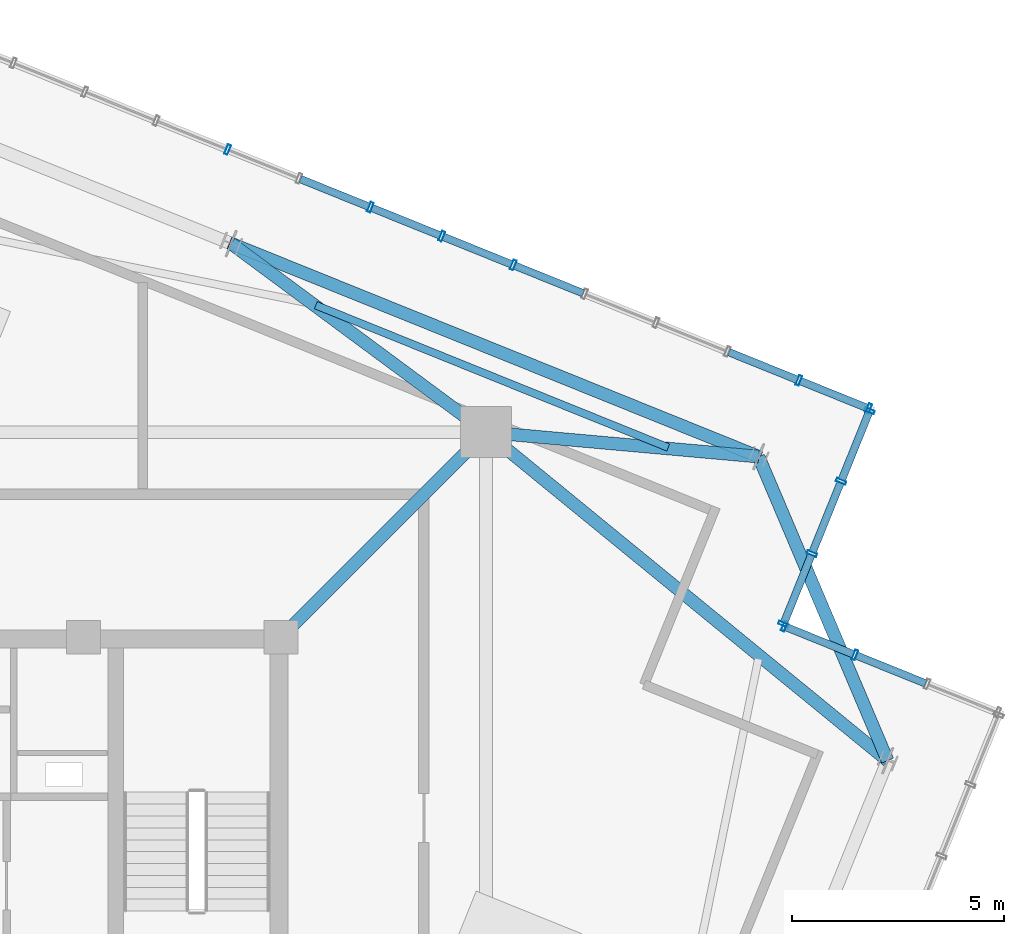
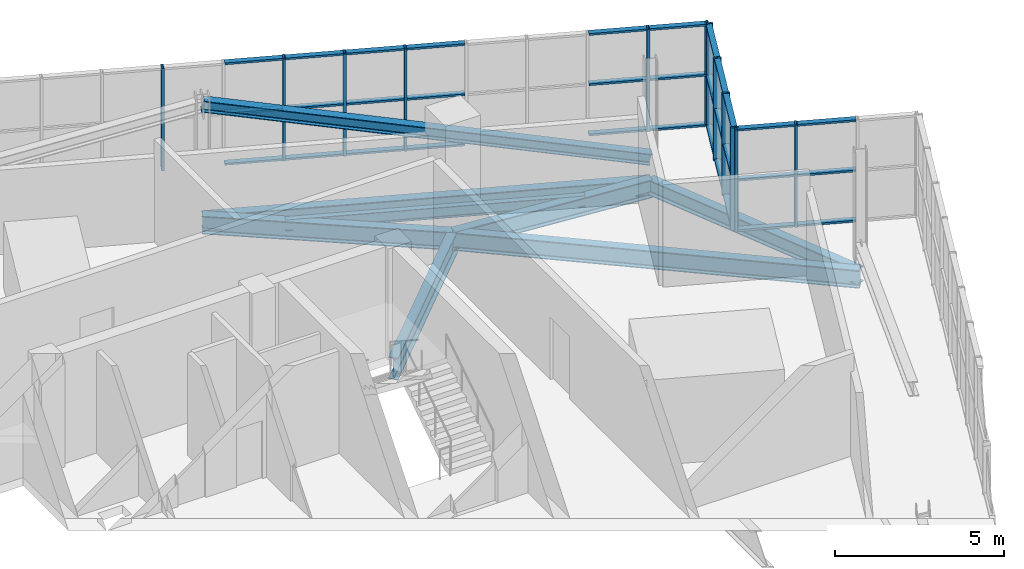
# One storey, part 16 of 26: 46 members, 7 beams, 3 elements without a shape of their own.
"""IFC4 building model written with IfcOpenShell, lengths in metres."""

from ifc_helpers import new_model, si_unit, direction, frame, origin, origin_2d, place, context, subcontext, project, spatial, hollow_rectangle, i_section, extrude, source, transform, mapped, material, layer, layer_set, material_profile, profile_set, type_object, element, aggregate, save


model = new_model("IFC4")

# Units and contexts
model_context = context("Model", 3, precision=1e-05, world=origin(), true_north=direction((0.0, 1.0)))
body_context = subcontext(model_context, "Body", "Model", "MODEL_VIEW")
ifc_project = project(units=[si_unit("LENGTHUNIT", "METRE"), si_unit("AREAUNIT", "SQUARE_METRE"), si_unit("VOLUMEUNIT", "CUBIC_METRE"), si_unit("PLANEANGLEUNIT", "RADIAN"), si_unit("MASSUNIT", "GRAM", prefix="KILO"), si_unit("THERMODYNAMICTEMPERATUREUNIT", "KELVIN")], contexts=[model_context])

# Site, building, storey
site_placement = place(None, origin())
site = spatial("IfcSite", under=ifc_project, at=site_placement, CompositionType="ELEMENT")
building_placement = place(site_placement, origin())
building = spatial("IfcBuilding", under=site, at=building_placement, Name="Kosmvard Interchange Tower", CompositionType="ELEMENT")
storey_placement = place(building_placement, frame((0.0, 0.0, 329.60009765625)))
storey = spatial("IfcBuildingStorey", under=building, at=storey_placement, Name="L81", CompositionType="ELEMENT", Elevation=329.60009765625)

# Beam
ifc_material_1 = material(Name="Steel S355", Category="steel")
ifc_material_profile_1 = material_profile(ifc_material_1, i_section(OverallWidth=0.300048828125, OverallDepth=0.800048828125, WebThickness=0.017578125, FlangeThickness=0.032958984375, FilletRadius=0.027099609375, at=origin_2d()), Name="HEB 800")
ifc_profile_set_1 = profile_set([ifc_material_profile_1], Name="Steel S355")
beam_type_1 = type_object("IfcBeamType", Name="Primary Mega-Frame Girder HEB 800 S355", PredefinedType="BEAM", material=ifc_profile_set_1)
shared_shape_1 = source(origin(), body_context, "Body", "SweptSolid", [
    extrude(i_section(OverallWidth=0.300048828125, OverallDepth=0.800048828125, WebThickness=0.017578125, FlangeThickness=0.032958984375, FilletRadius=0.027099609375, at=origin_2d()), origin(), (0.0, 0.0, 1.0), 6.83203125),
])
beam_1_placement = place(storey_placement, frame((8.25, 8.25, -0.7001953125), z_axis=(0.707106781187, 0.707106781187, 0.0), x_axis=(-0.707106781187, 0.707106781187, 0.0)))
element("IfcBeam", 1, at=beam_1_placement, inside=storey, type_object=beam_type_1, Name="L81 Radial Mega-Frame Girder 3", PredefinedType="BEAM", context=body_context, shape_type="MappedRepresentation", body=[
    mapped(shared_shape_1, transform((0.0, 0.0, 0.0), scale=1.0)),
])

# Member
ifc_material_profile_2 = material_profile(ifc_material_1, i_section(OverallWidth=0.300048828125, OverallDepth=0.39990234375, WebThickness=0.013427734375, FlangeThickness=0.02392578125, FilletRadius=0.027099609375, at=origin_2d()), Name="HEB 400")
ifc_profile_set_2 = profile_set([ifc_material_profile_2], Name="Steel S355")
member_type_1 = type_object("IfcMemberType", Name="Lantern Crown Diagrid Brace HEB 400 S355", PredefinedType="BRACE", material=ifc_profile_set_2)
shared_shape_2 = source(origin(), body_context, "Body", "SweptSolid", [
    extrude(i_section(OverallWidth=0.300048828125, OverallDepth=0.39990234375, WebThickness=0.013427734375, FlangeThickness=0.02392578125, FilletRadius=0.027099609375, at=origin_2d()), origin(), (0.0, 0.0, 1.0), 13.78369140625),
])
member_1_placement = place(storey_placement, frame((19.50439453125, 12.504150390625, 0.419921875), z_axis=(-0.901373372792, 0.364162635972, 0.234332279859), x_axis=(-0.374592580972, -0.927189515839, 0.0)))
element("IfcMember", 2, at=member_1_placement, inside=storey, type_object=member_type_1, Name="L81 Crown Lantern Diagrid Brace E1", PredefinedType="BRACE", context=body_context, shape_type="MappedRepresentation", body=[
    mapped(shared_shape_2, transform((0.0, 0.0, 0.0), scale=1.0)),
])

# Beams
ifc_material_profile_3 = material_profile(ifc_material_1, i_section(OverallWidth=0.300048828125, OverallDepth=0.550048828125, WebThickness=0.014892578125, FlangeThickness=0.029052734375, FilletRadius=0.027099609375, at=origin_2d()), Name="HEB 550")
ifc_profile_set_3 = profile_set([ifc_material_profile_3], Name="Steel S355")
beam_type_2 = type_object("IfcBeamType", Name="Crown Ring Cap Girder HEB 550 S355", PredefinedType="BEAM", material=ifc_profile_set_3)
shared_shape_3 = source(origin(), body_context, "Body", "SweptSolid", [
    extrude(i_section(OverallWidth=0.300048828125, OverallDepth=0.550048828125, WebThickness=0.014892578125, FlangeThickness=0.029052734375, FilletRadius=0.027099609375, at=origin_2d()), origin(), (0.0, 0.0, 1.0), 13.39990234375),
])
beam_2_placement = place(storey_placement, frame((19.50439453125, 12.504150390625, -0.5751953125), z_axis=(-0.927189515839, 0.374592580972, 0.0), x_axis=(-0.374592580972, -0.927189515839, 0.0)))
element("IfcBeam", 3, at=beam_2_placement, inside=storey, type_object=beam_type_2, Name="BM-L81-PR04", PredefinedType="BEAM", context=body_context, shape_type="MappedRepresentation", body=[
    mapped(shared_shape_3, transform((0.0, 0.0, 0.0), scale=1.0)),
])
ifc_material_profile_4 = material_profile(ifc_material_1, i_section(OverallWidth=0.300048828125, OverallDepth=0.64990234375, WebThickness=0.01611328125, FlangeThickness=0.031005859375, FilletRadius=0.027099609375, at=origin_2d()), Name="HEB 650")
ifc_profile_set_4 = profile_set([ifc_material_profile_4], Name="Steel S355")
beam_type_3 = type_object("IfcBeamType", Name="Primary Floor Girder HEB 650 S355", PredefinedType="BEAM", material=ifc_profile_set_4)
shared_shape_4 = source(origin(), body_context, "Body", "SweptSolid", [
    extrude(i_section(OverallWidth=0.300048828125, OverallDepth=0.64990234375, WebThickness=0.01611328125, FlangeThickness=0.031005859375, FilletRadius=0.027099609375, at=origin_2d()), origin(), (0.0, 0.0, 1.0), 6.44921875),
])
beam_3_placement = place(storey_placement, frame((13.0810546875, 13.0810546875, -0.625), z_axis=(0.995990982197, -0.089453694068, 0.0), x_axis=(0.089453694068, 0.995990982197, 0.0)))
element("IfcBeam", 4, at=beam_3_placement, inside=storey, type_object=beam_type_3, Name="BM-L81-RD04", PredefinedType="BEAM", context=body_context, shape_type="MappedRepresentation", body=[
    mapped(shared_shape_4, transform((0.0, 0.0, 0.0), scale=1.0)),
])
shared_shape_5 = source(origin(), body_context, "Body", "SweptSolid", [
    extrude(i_section(OverallWidth=0.300048828125, OverallDepth=0.64990234375, WebThickness=0.01611328125, FlangeThickness=0.031005859375, FilletRadius=0.027099609375, at=origin_2d()), origin(), (0.0, 0.0, 1.0), 7.466552734375),
])
beam_4_placement = place(storey_placement, frame((13.0810546875, 13.0810546875, -0.625), z_axis=(-0.803719929879, 0.595007793491, 0.0), x_axis=(-0.595007793491, -0.803719929879, 0.0)))
element("IfcBeam", 5, at=beam_4_placement, inside=storey, type_object=beam_type_3, Name="BM-L81-RD05", PredefinedType="BEAM", context=body_context, shape_type="MappedRepresentation", body=[
    mapped(shared_shape_5, transform((0.0, 0.0, 0.0), scale=1.0)),
])
shared_shape_6 = source(origin(), body_context, "Body", "SweptSolid", [
    extrude(i_section(OverallWidth=0.300048828125, OverallDepth=0.550048828125, WebThickness=0.014892578125, FlangeThickness=0.029052734375, FilletRadius=0.027099609375, at=origin_2d()), origin(), (0.0, 0.0, 1.0), 7.778076171875),
])
beam_5_placement = place(storey_placement, frame((22.54345703125, 5.34423828125, -0.5751953125), z_axis=(-0.39071589075, 0.92051132134, 0.0), x_axis=(-0.92051132134, -0.39071589075, 0.0)))
element("IfcBeam", 6, at=beam_5_placement, inside=storey, type_object=beam_type_2, Name="BM-L81-PR03", PredefinedType="BEAM", context=body_context, shape_type="MappedRepresentation", body=[
    mapped(shared_shape_6, transform((0.0, 0.0, 0.0), scale=1.0)),
])
shared_shape_7 = source(origin(), body_context, "Body", "SweptSolid", [
    extrude(i_section(OverallWidth=0.300048828125, OverallDepth=0.64990234375, WebThickness=0.01611328125, FlangeThickness=0.031005859375, FilletRadius=0.027099609375, at=origin_2d()), origin(), (0.0, 0.0, 1.0), 12.22265625),
])
beam_6_placement = place(storey_placement, frame((13.0810546875, 13.0810546875, -0.625), z_axis=(0.774163725034, -0.632985408079, 0.0), x_axis=(0.632985408079, 0.774163725034, 0.0)))
element("IfcBeam", 7, at=beam_6_placement, inside=storey, type_object=beam_type_3, Name="BM-L81-RD03", PredefinedType="BEAM", context=body_context, shape_type="MappedRepresentation", body=[
    mapped(shared_shape_7, transform((0.0, 0.0, 0.0), scale=1.0)),
])
ifc_material_profile_5 = material_profile(ifc_material_1, i_section(OverallWidth=0.179931640625, OverallDepth=0.39990234375, WebThickness=0.008544921875, FlangeThickness=0.013427734375, FilletRadius=0.02099609375, at=origin_2d()), Name="IPE 400")
ifc_profile_set_5 = profile_set([ifc_material_profile_5], Name="Steel S355")
beam_type_4 = type_object("IfcBeamType", Name="Upper-Zone Floor Joist IPE 400 S355", PredefinedType="JOIST", material=ifc_profile_set_5)
shared_shape_8 = source(origin(), body_context, "Body", "SweptSolid", [
    extrude(i_section(OverallWidth=0.179931640625, OverallDepth=0.39990234375, WebThickness=0.008544921875, FlangeThickness=0.013427734375, FilletRadius=0.02099609375, at=origin_2d()), origin(), (0.0, 0.0, 1.0), 8.9521484375),
])
beam_7_placement = place(storey_placement, frame((17.374755859375, 12.71875, -0.5), z_axis=(-0.927194118723, 0.374581187736, 0.0), x_axis=(-0.374581187736, -0.927194118723, 0.0)))
element("IfcBeam", 8, at=beam_7_placement, inside=storey, type_object=beam_type_4, Name="BM-L81-FJ03", PredefinedType="JOIST", context=body_context, shape_type="MappedRepresentation", body=[
    mapped(shared_shape_8, transform((0.0, 0.0, 0.0), scale=1.0)),
])

# Curtain wall, members
ifc_material_2 = material(Name="Architectural anodised aluminium", Category="aluminium")
ifc_layer = layer(ifc_material_2, 0.25, Name="Architectural anodised aluminium")
ifc_layer_set = layer_set([ifc_layer], Name="Architectural anodised aluminium")
curtain_wall_type = type_object("IfcCurtainWallType", Name="CW-6 Illuminated Crown Lantern Curtain Wall", PredefinedType="NOTDEFINED", material=ifc_layer_set)
curtain_wall_1_placement = place(storey_placement, origin())
curtain_wall_1 = element("IfcCurtainWall", 9, at=curtain_wall_1_placement, inside=storey, type_object=curtain_wall_type, Name="L81 Crown Lantern Glazing Face 02", PredefinedType="NOTDEFINED")
ifc_material_profile_6 = material_profile(ifc_material_2, hollow_rectangle(XDim=0.239990234375, YDim=0.080078125, WallThickness=0.006103515625, at=origin_2d()), Name="CWM 240x80x6")
ifc_profile_set_6 = profile_set([ifc_material_profile_6], Name="Architectural anodised aluminium")
member_type_2 = type_object("IfcMemberType", Name="Lantern & Observation CW Mullion 240x80 Aluminium", PredefinedType="MULLION", material=ifc_profile_set_6)
shared_shape_9 = source(origin(), body_context, "Body", "SweptSolid", [
    extrude(hollow_rectangle(XDim=0.239990234375, YDim=0.080078125, WallThickness=0.006103515625, at=origin_2d()), origin(), (0.0, 0.0, 1.0), 3.699951171875),
])
member_2_placement = place(storey_placement, frame((21.7734375, 7.833984375, 0.0), z_axis=(0.0, 0.0, 1.0), x_axis=(-0.374606564822, -0.92718386612, 0.0)))
member_2 = element("IfcMember", 10, at=member_2_placement, type_object=member_type_2, Name="CW-6 mullion 3", PredefinedType="MULLION", context=body_context, shape_type="MappedRepresentation", body=[
    mapped(shared_shape_9, transform((0.0, 0.0, 0.0), scale=1.0)),
])
member_3_placement = place(storey_placement, frame((20.110595703125, 8.505859375, 0.0), z_axis=(0.0, 0.0, 1.0), x_axis=(-0.374606564822, -0.92718386612, 0.0)))
member_3 = element("IfcMember", 11, at=member_3_placement, type_object=member_type_2, Name="CW-6 mullion 4", PredefinedType="MULLION", context=body_context, shape_type="MappedRepresentation", body=[
    mapped(shared_shape_9, transform((0.0, 0.0, 0.0), scale=1.0)),
])

curtain_wall_2_placement = place(storey_placement, origin())
curtain_wall_2 = element("IfcCurtainWall", 12, at=curtain_wall_2_placement, inside=storey, type_object=curtain_wall_type, Name="L81 Crown Lantern Glazing Face 03", PredefinedType="NOTDEFINED")
member_4_placement = place(storey_placement, frame((20.088623046875, 8.557861328125, 0.0), z_axis=(0.0, 0.0, 1.0), x_axis=(-0.927183891631, 0.374606501678, 0.0)))
member_4 = element("IfcMember", 13, at=member_4_placement, type_object=member_type_2, Name="CW-6 mullion 1", PredefinedType="MULLION", context=body_context, shape_type="MappedRepresentation", body=[
    mapped(shared_shape_9, transform((0.0, 0.0, 0.0), scale=1.0)),
])
member_5_placement = place(storey_placement, frame((20.760498046875, 10.220458984375, 0.0), z_axis=(0.0, 0.0, 1.0), x_axis=(-0.927183891631, 0.374606501678, 0.0)))
member_5 = element("IfcMember", 14, at=member_5_placement, type_object=member_type_2, Name="CW-6 mullion 2", PredefinedType="MULLION", context=body_context, shape_type="MappedRepresentation", body=[
    mapped(shared_shape_9, transform((0.0, 0.0, 0.0), scale=1.0)),
])
member_6_placement = place(storey_placement, frame((21.447265625, 11.92041015625, 0.0), z_axis=(0.0, 0.0, 1.0), x_axis=(-0.927183891631, 0.374606501678, 0.0)))
member_6 = element("IfcMember", 15, at=member_6_placement, type_object=member_type_2, Name="CW-6 mullion 3", PredefinedType="MULLION", context=body_context, shape_type="MappedRepresentation", body=[
    mapped(shared_shape_9, transform((0.0, 0.0, 0.0), scale=1.0)),
])
member_7_placement = place(storey_placement, frame((22.118896484375, 13.583251953125, 0.0), z_axis=(0.0, 0.0, 1.0), x_axis=(-0.927183891631, 0.374606501678, 0.0)))
member_7 = element("IfcMember", 16, at=member_7_placement, type_object=member_type_2, Name="CW-6 mullion 4", PredefinedType="MULLION", context=body_context, shape_type="MappedRepresentation", body=[
    mapped(shared_shape_9, transform((0.0, 0.0, 0.0), scale=1.0)),
])

curtain_wall_3_placement = place(storey_placement, origin())
curtain_wall_3 = element("IfcCurtainWall", 17, at=curtain_wall_3_placement, inside=storey, type_object=curtain_wall_type, Name="L81 Crown Lantern Glazing Face 04", PredefinedType="NOTDEFINED")
member_8_placement = place(storey_placement, frame((22.096923828125, 13.63525390625, 0.0), z_axis=(0.0, 0.0, 1.0), x_axis=(-0.374606584758, -0.927183858065, 0.0)))
member_8 = element("IfcMember", 18, at=member_8_placement, type_object=member_type_2, Name="CW-6 mullion 1", PredefinedType="MULLION", context=body_context, shape_type="MappedRepresentation", body=[
    mapped(shared_shape_9, transform((0.0, 0.0, 0.0), scale=1.0)),
])
member_9_placement = place(storey_placement, frame((20.451904296875, 14.2998046875, 0.0), z_axis=(0.0, 0.0, 1.0), x_axis=(-0.374606584758, -0.927183858065, 0.0)))
member_9 = element("IfcMember", 19, at=member_9_placement, type_object=member_type_2, Name="CW-6 mullion 2", PredefinedType="MULLION", context=body_context, shape_type="MappedRepresentation", body=[
    mapped(shared_shape_9, transform((0.0, 0.0, 0.0), scale=1.0)),
])
member_10_placement = place(storey_placement, frame((13.723876953125, 17.01806640625, 0.0), z_axis=(0.0, 0.0, 1.0), x_axis=(-0.374606584758, -0.927183858065, 0.0)))
member_10 = element("IfcMember", 20, at=member_10_placement, type_object=member_type_2, Name="CW-6 mullion 6", PredefinedType="MULLION", context=body_context, shape_type="MappedRepresentation", body=[
    mapped(shared_shape_9, transform((0.0, 0.0, 0.0), scale=1.0)),
])
member_11_placement = place(storey_placement, frame((12.041748046875, 17.69775390625, 0.0), z_axis=(0.0, 0.0, 1.0), x_axis=(-0.374606584758, -0.927183858065, 0.0)))
member_11 = element("IfcMember", 21, at=member_11_placement, type_object=member_type_2, Name="CW-6 mullion 7", PredefinedType="MULLION", context=body_context, shape_type="MappedRepresentation", body=[
    mapped(shared_shape_9, transform((0.0, 0.0, 0.0), scale=1.0)),
])
member_12_placement = place(storey_placement, frame((10.35986328125, 18.377197265625, 0.0), z_axis=(0.0, 0.0, 1.0), x_axis=(-0.374606584758, -0.927183858065, 0.0)))
member_12 = element("IfcMember", 22, at=member_12_placement, type_object=member_type_2, Name="CW-6 mullion 8", PredefinedType="MULLION", context=body_context, shape_type="MappedRepresentation", body=[
    mapped(shared_shape_9, transform((0.0, 0.0, 0.0), scale=1.0)),
])
member_13_placement = place(storey_placement, frame((6.995849609375, 19.736572265625, 0.0), z_axis=(0.0, 0.0, 1.0), x_axis=(-0.374606584758, -0.927183858065, 0.0)))
member_13 = element("IfcMember", 23, at=member_13_placement, type_object=member_type_2, Name="CW-6 mullion 10", PredefinedType="MULLION", context=body_context, shape_type="MappedRepresentation", body=[
    mapped(shared_shape_9, transform((0.0, 0.0, 0.0), scale=1.0)),
])
ifc_material_profile_7 = material_profile(ifc_material_2, hollow_rectangle(XDim=0.179931640625, YDim=0.070068359375, WallThickness=0.0048828125, at=origin_2d()), Name="CWT 180x70x5")
ifc_profile_set_7 = profile_set([ifc_material_profile_7], Name="Architectural anodised aluminium")
member_type_3 = type_object("IfcMemberType", Name="Heavy Lantern CW Transom 180x70 Aluminium", PredefinedType="USERDEFINED", material=ifc_profile_set_7)
shared_shape_10 = source(origin(), body_context, "Body", "SweptSolid", [
    extrude(hollow_rectangle(XDim=0.179931640625, YDim=0.070068359375, WallThickness=0.0048828125, at=origin_2d()), origin(), (0.0, 0.0, 1.0), 1.694091796875),
])
member_14_placement = place(storey_placement, frame((22.059814453125, 13.650146484375, 0.034912109375), z_axis=(-0.927159064032, 0.374667946298, 0.0), x_axis=(-0.374667946298, -0.927159064032, 0.0)))
member_14 = element("IfcMember", 24, at=member_14_placement, type_object=member_type_3, Name="CW-6 transom 1.1", ObjectType="TRANSOM", PredefinedType="USERDEFINED", context=body_context, shape_type="MappedRepresentation", body=[
    mapped(shared_shape_10, transform((0.0, 0.0, 0.0), scale=1.0)),
])
member_15_placement = place(storey_placement, frame((22.059814453125, 13.650146484375, 1.849853515625), z_axis=(-0.927159064032, 0.374667946298, 0.0), x_axis=(-0.374667946298, -0.927159064032, 0.0)))
member_15 = element("IfcMember", 25, at=member_15_placement, type_object=member_type_3, Name="CW-6 transom 1.2", ObjectType="TRANSOM", PredefinedType="USERDEFINED", context=body_context, shape_type="MappedRepresentation", body=[
    mapped(shared_shape_10, transform((0.0, 0.0, 0.0), scale=1.0)),
])
member_16_placement = place(storey_placement, frame((22.059814453125, 13.650146484375, 3.664794921875), z_axis=(-0.927159064032, 0.374667946298, 0.0), x_axis=(-0.374667946298, -0.927159064032, 0.0)))
member_16 = element("IfcMember", 26, at=member_16_placement, type_object=member_type_3, Name="CW-6 transom 1.3", ObjectType="TRANSOM", PredefinedType="USERDEFINED", context=body_context, shape_type="MappedRepresentation", body=[
    mapped(shared_shape_10, transform((0.0, 0.0, 0.0), scale=1.0)),
])
shared_shape_11 = source(origin(), body_context, "Body", "SweptSolid", [
    extrude(hollow_rectangle(XDim=0.179931640625, YDim=0.070068359375, WallThickness=0.0048828125, at=origin_2d()), origin(), (0.0, 0.0, 1.0), 1.734130859375),
])
member_17_placement = place(storey_placement, frame((20.414794921875, 14.314697265625, 0.034912109375), z_axis=(-0.927179782522, 0.374616671924, 0.0), x_axis=(-0.374616671924, -0.927179782522, 0.0)))
member_17 = element("IfcMember", 27, at=member_17_placement, type_object=member_type_3, Name="CW-6 transom 2.1", ObjectType="TRANSOM", PredefinedType="USERDEFINED", context=body_context, shape_type="MappedRepresentation", body=[
    mapped(shared_shape_11, transform((0.0, 0.0, 0.0), scale=1.0)),
])
member_18_placement = place(storey_placement, frame((20.414794921875, 14.314697265625, 1.849853515625), z_axis=(-0.927179782522, 0.374616671924, 0.0), x_axis=(-0.374616671924, -0.927179782522, 0.0)))
member_18 = element("IfcMember", 28, at=member_18_placement, type_object=member_type_3, Name="CW-6 transom 2.2", ObjectType="TRANSOM", PredefinedType="USERDEFINED", context=body_context, shape_type="MappedRepresentation", body=[
    mapped(shared_shape_11, transform((0.0, 0.0, 0.0), scale=1.0)),
])
member_19_placement = place(storey_placement, frame((20.414794921875, 14.314697265625, 3.664794921875), z_axis=(-0.927179782522, 0.374616671924, 0.0), x_axis=(-0.374616671924, -0.927179782522, 0.0)))
member_19 = element("IfcMember", 29, at=member_19_placement, type_object=member_type_3, Name="CW-6 transom 2.3", ObjectType="TRANSOM", PredefinedType="USERDEFINED", context=body_context, shape_type="MappedRepresentation", body=[
    mapped(shared_shape_11, transform((0.0, 0.0, 0.0), scale=1.0)),
])
member_20_placement = place(storey_placement, frame((15.368896484375, 16.353515625, 0.034912109375), z_axis=(-0.927179782522, 0.374616671924, 0.0), x_axis=(-0.374616671924, -0.927179782522, 0.0)))
member_20 = element("IfcMember", 30, at=member_20_placement, type_object=member_type_3, Name="CW-6 transom 5.1", ObjectType="TRANSOM", PredefinedType="USERDEFINED", context=body_context, shape_type="MappedRepresentation", body=[
    mapped(shared_shape_11, transform((0.0, 0.0, 0.0), scale=1.0)),
])
member_21_placement = place(storey_placement, frame((15.368896484375, 16.353515625, 1.849853515625), z_axis=(-0.927179782522, 0.374616671924, 0.0), x_axis=(-0.374616671924, -0.927179782522, 0.0)))
member_21 = element("IfcMember", 31, at=member_21_placement, type_object=member_type_3, Name="CW-6 transom 5.2", ObjectType="TRANSOM", PredefinedType="USERDEFINED", context=body_context, shape_type="MappedRepresentation", body=[
    mapped(shared_shape_11, transform((0.0, 0.0, 0.0), scale=1.0)),
])
member_22_placement = place(storey_placement, frame((15.368896484375, 16.353515625, 3.664794921875), z_axis=(-0.927179782522, 0.374616671924, 0.0), x_axis=(-0.374616671924, -0.927179782522, 0.0)))
member_22 = element("IfcMember", 32, at=member_22_placement, type_object=member_type_3, Name="CW-6 transom 5.3", ObjectType="TRANSOM", PredefinedType="USERDEFINED", context=body_context, shape_type="MappedRepresentation", body=[
    mapped(shared_shape_11, transform((0.0, 0.0, 0.0), scale=1.0)),
])
member_23_placement = place(storey_placement, frame((13.686767578125, 17.033203125, 0.034912109375), z_axis=(-0.927179782522, 0.374616671924, 0.0), x_axis=(-0.374616671924, -0.927179782522, 0.0)))
member_23 = element("IfcMember", 33, at=member_23_placement, type_object=member_type_3, Name="CW-6 transom 6.1", ObjectType="TRANSOM", PredefinedType="USERDEFINED", context=body_context, shape_type="MappedRepresentation", body=[
    mapped(shared_shape_11, transform((0.0, 0.0, 0.0), scale=1.0)),
])
member_24_placement = place(storey_placement, frame((13.686767578125, 17.033203125, 1.849853515625), z_axis=(-0.927179782522, 0.374616671924, 0.0), x_axis=(-0.374616671924, -0.927179782522, 0.0)))
member_24 = element("IfcMember", 34, at=member_24_placement, type_object=member_type_3, Name="CW-6 transom 6.2", ObjectType="TRANSOM", PredefinedType="USERDEFINED", context=body_context, shape_type="MappedRepresentation", body=[
    mapped(shared_shape_11, transform((0.0, 0.0, 0.0), scale=1.0)),
])
member_25_placement = place(storey_placement, frame((13.686767578125, 17.033203125, 3.664794921875), z_axis=(-0.927179782522, 0.374616671924, 0.0), x_axis=(-0.374616671924, -0.927179782522, 0.0)))
member_25 = element("IfcMember", 35, at=member_25_placement, type_object=member_type_3, Name="CW-6 transom 6.3", ObjectType="TRANSOM", PredefinedType="USERDEFINED", context=body_context, shape_type="MappedRepresentation", body=[
    mapped(shared_shape_11, transform((0.0, 0.0, 0.0), scale=1.0)),
])
member_26_placement = place(storey_placement, frame((10.32275390625, 18.392333984375, 0.034912109375), z_axis=(-0.927179782522, 0.374616671924, 0.0), x_axis=(-0.374616671924, -0.927179782522, 0.0)))
member_26 = element("IfcMember", 36, at=member_26_placement, type_object=member_type_3, Name="CW-6 transom 8.1", ObjectType="TRANSOM", PredefinedType="USERDEFINED", context=body_context, shape_type="MappedRepresentation", body=[
    mapped(shared_shape_11, transform((0.0, 0.0, 0.0), scale=1.0)),
])
member_27_placement = place(storey_placement, frame((10.32275390625, 18.392333984375, 1.849853515625), z_axis=(-0.927179782522, 0.374616671924, 0.0), x_axis=(-0.374616671924, -0.927179782522, 0.0)))
member_27 = element("IfcMember", 37, at=member_27_placement, type_object=member_type_3, Name="CW-6 transom 8.2", ObjectType="TRANSOM", PredefinedType="USERDEFINED", context=body_context, shape_type="MappedRepresentation", body=[
    mapped(shared_shape_11, transform((0.0, 0.0, 0.0), scale=1.0)),
])
member_28_placement = place(storey_placement, frame((10.32275390625, 18.392333984375, 3.664794921875), z_axis=(-0.927179782522, 0.374616671924, 0.0), x_axis=(-0.374616671924, -0.927179782522, 0.0)))
member_28 = element("IfcMember", 38, at=member_28_placement, type_object=member_type_3, Name="CW-6 transom 8.3", ObjectType="TRANSOM", PredefinedType="USERDEFINED", context=body_context, shape_type="MappedRepresentation", body=[
    mapped(shared_shape_11, transform((0.0, 0.0, 0.0), scale=1.0)),
])
shared_shape_12 = source(origin(), body_context, "Body", "SweptSolid", [
    extrude(hollow_rectangle(XDim=0.179931640625, YDim=0.070068359375, WallThickness=0.0048828125, at=origin_2d()), origin(), (0.0, 0.0, 1.0), 1.73388671875),
])
member_29_placement = place(storey_placement, frame((12.004638671875, 17.712646484375, 0.034912109375), z_axis=(-0.927160021861, 0.374665576032, 0.0), x_axis=(-0.374665576032, -0.927160021861, 0.0)))
member_29 = element("IfcMember", 39, at=member_29_placement, type_object=member_type_3, Name="CW-6 transom 7.1", ObjectType="TRANSOM", PredefinedType="USERDEFINED", context=body_context, shape_type="MappedRepresentation", body=[
    mapped(shared_shape_12, transform((0.0, 0.0, 0.0), scale=1.0)),
])
member_30_placement = place(storey_placement, frame((12.004638671875, 17.712646484375, 1.849853515625), z_axis=(-0.927160021861, 0.374665576032, 0.0), x_axis=(-0.374665576032, -0.927160021861, 0.0)))
member_30 = element("IfcMember", 40, at=member_30_placement, type_object=member_type_3, Name="CW-6 transom 7.2", ObjectType="TRANSOM", PredefinedType="USERDEFINED", context=body_context, shape_type="MappedRepresentation", body=[
    mapped(shared_shape_12, transform((0.0, 0.0, 0.0), scale=1.0)),
])
member_31_placement = place(storey_placement, frame((12.004638671875, 17.712646484375, 3.664794921875), z_axis=(-0.927160021861, 0.374665576032, 0.0), x_axis=(-0.374665576032, -0.927160021861, 0.0)))
member_31 = element("IfcMember", 41, at=member_31_placement, type_object=member_type_3, Name="CW-6 transom 7.3", ObjectType="TRANSOM", PredefinedType="USERDEFINED", context=body_context, shape_type="MappedRepresentation", body=[
    mapped(shared_shape_12, transform((0.0, 0.0, 0.0), scale=1.0)),
])
aggregate(curtain_wall_3, [member_8, member_9, member_10, member_11, member_12, member_13, member_14, member_15, member_16, member_17, member_18, member_19, member_20, member_21, member_22, member_23, member_24, member_25, member_29, member_30, member_31, member_26, member_27, member_28])

# Member
shared_shape_13 = source(origin(), body_context, "Body", "SweptSolid", [
    extrude(hollow_rectangle(XDim=0.179931640625, YDim=0.070068359375, WallThickness=0.0048828125, at=origin_2d()), origin(), (0.0, 0.0, 1.0), 1.71337890625),
])
member_32_placement = place(storey_placement, frame((21.736328125, 7.848876953125, 0.034912109375), z_axis=(-0.927183787829, 0.374606758599, 0.0), x_axis=(-0.374606758599, -0.927183787829, 0.0)))
member_32 = element("IfcMember", 42, at=member_32_placement, type_object=member_type_3, Name="CW-6 transom 3.1", ObjectType="TRANSOM", PredefinedType="USERDEFINED", context=body_context, shape_type="MappedRepresentation", body=[
    mapped(shared_shape_13, transform((0.0, 0.0, 0.0), scale=1.0)),
])

member_33_placement = place(storey_placement, frame((21.736328125, 7.848876953125, 1.849853515625), z_axis=(-0.927183787829, 0.374606758599, 0.0), x_axis=(-0.374606758599, -0.927183787829, 0.0)))
member_33 = element("IfcMember", 43, at=member_33_placement, type_object=member_type_3, Name="CW-6 transom 3.2", ObjectType="TRANSOM", PredefinedType="USERDEFINED", context=body_context, shape_type="MappedRepresentation", body=[
    mapped(shared_shape_13, transform((0.0, 0.0, 0.0), scale=1.0)),
])

member_34_placement = place(storey_placement, frame((21.736328125, 7.848876953125, 3.664794921875), z_axis=(-0.927183787829, 0.374606758599, 0.0), x_axis=(-0.374606758599, -0.927183787829, 0.0)))
member_34 = element("IfcMember", 44, at=member_34_placement, type_object=member_type_3, Name="CW-6 transom 3.3", ObjectType="TRANSOM", PredefinedType="USERDEFINED", context=body_context, shape_type="MappedRepresentation", body=[
    mapped(shared_shape_13, transform((0.0, 0.0, 0.0), scale=1.0)),
])

member_35_placement = place(storey_placement, frame((20.103515625, 8.594970703125, 0.034912109375), z_axis=(0.374606758599, 0.927183787829, 0.0), x_axis=(-0.927183787829, 0.374606758599, 0.0)))
member_35 = element("IfcMember", 45, at=member_35_placement, type_object=member_type_3, Name="CW-6 transom 1.1", ObjectType="TRANSOM", PredefinedType="USERDEFINED", context=body_context, shape_type="MappedRepresentation", body=[
    mapped(shared_shape_13, transform((0.0, 0.0, 0.0), scale=1.0)),
])

member_36_placement = place(storey_placement, frame((20.103515625, 8.594970703125, 1.849853515625), z_axis=(0.374606758599, 0.927183787829, 0.0), x_axis=(-0.927183787829, 0.374606758599, 0.0)))
member_36 = element("IfcMember", 46, at=member_36_placement, type_object=member_type_3, Name="CW-6 transom 1.2", ObjectType="TRANSOM", PredefinedType="USERDEFINED", context=body_context, shape_type="MappedRepresentation", body=[
    mapped(shared_shape_13, transform((0.0, 0.0, 0.0), scale=1.0)),
])

member_37_placement = place(storey_placement, frame((20.103515625, 8.594970703125, 3.664794921875), z_axis=(0.374606758599, 0.927183787829, 0.0), x_axis=(-0.927183787829, 0.374606758599, 0.0)))
member_37 = element("IfcMember", 47, at=member_37_placement, type_object=member_type_3, Name="CW-6 transom 1.3", ObjectType="TRANSOM", PredefinedType="USERDEFINED", context=body_context, shape_type="MappedRepresentation", body=[
    mapped(shared_shape_13, transform((0.0, 0.0, 0.0), scale=1.0)),
])

member_38_placement = place(storey_placement, frame((21.462158203125, 11.95751953125, 0.034912109375), z_axis=(0.374606758599, 0.927183787829, 0.0), x_axis=(-0.927183787829, 0.374606758599, 0.0)))
member_38 = element("IfcMember", 48, at=member_38_placement, type_object=member_type_3, Name="CW-6 transom 3.1", ObjectType="TRANSOM", PredefinedType="USERDEFINED", context=body_context, shape_type="MappedRepresentation", body=[
    mapped(shared_shape_13, transform((0.0, 0.0, 0.0), scale=1.0)),
])

member_39_placement = place(storey_placement, frame((21.462158203125, 11.95751953125, 1.849853515625), z_axis=(0.374606758599, 0.927183787829, 0.0), x_axis=(-0.927183787829, 0.374606758599, 0.0)))
member_39 = element("IfcMember", 49, at=member_39_placement, type_object=member_type_3, Name="CW-6 transom 3.2", ObjectType="TRANSOM", PredefinedType="USERDEFINED", context=body_context, shape_type="MappedRepresentation", body=[
    mapped(shared_shape_13, transform((0.0, 0.0, 0.0), scale=1.0)),
])

member_40_placement = place(storey_placement, frame((21.462158203125, 11.95751953125, 3.664794921875), z_axis=(0.374606758599, 0.927183787829, 0.0), x_axis=(-0.927183787829, 0.374606758599, 0.0)))
member_40 = element("IfcMember", 50, at=member_40_placement, type_object=member_type_3, Name="CW-6 transom 3.3", ObjectType="TRANSOM", PredefinedType="USERDEFINED", context=body_context, shape_type="MappedRepresentation", body=[
    mapped(shared_shape_13, transform((0.0, 0.0, 0.0), scale=1.0)),
])

shared_shape_14 = source(origin(), body_context, "Body", "SweptSolid", [
    extrude(hollow_rectangle(XDim=0.179931640625, YDim=0.070068359375, WallThickness=0.0048828125, at=origin_2d()), origin(), (0.0, 0.0, 1.0), 1.75341796875),
])
member_41_placement = place(storey_placement, frame((23.436279296875, 7.162109375, 0.034912109375), z_axis=(-0.927155350429, 0.374677135907, 0.0), x_axis=(-0.374677135907, -0.927155350429, 0.0)))
member_41 = element("IfcMember", 51, at=member_41_placement, type_object=member_type_3, Name="CW-6 transom 2.1", ObjectType="TRANSOM", PredefinedType="USERDEFINED", context=body_context, shape_type="MappedRepresentation", body=[
    mapped(shared_shape_14, transform((0.0, 0.0, 0.0), scale=1.0)),
])

member_42_placement = place(storey_placement, frame((23.436279296875, 7.162109375, 1.849853515625), z_axis=(-0.927155350429, 0.374677135907, 0.0), x_axis=(-0.374677135907, -0.927155350429, 0.0)))
member_42 = element("IfcMember", 52, at=member_42_placement, type_object=member_type_3, Name="CW-6 transom 2.2", ObjectType="TRANSOM", PredefinedType="USERDEFINED", context=body_context, shape_type="MappedRepresentation", body=[
    mapped(shared_shape_14, transform((0.0, 0.0, 0.0), scale=1.0)),
])

member_43_placement = place(storey_placement, frame((23.436279296875, 7.162109375, 3.664794921875), z_axis=(-0.927155350429, 0.374677135907, 0.0), x_axis=(-0.374677135907, -0.927155350429, 0.0)))
member_43 = element("IfcMember", 53, at=member_43_placement, type_object=member_type_3, Name="CW-6 transom 2.3", ObjectType="TRANSOM", PredefinedType="USERDEFINED", context=body_context, shape_type="MappedRepresentation", body=[
    mapped(shared_shape_14, transform((0.0, 0.0, 0.0), scale=1.0)),
])

aggregate(curtain_wall_1, [member_2, member_3, member_41, member_42, member_43, member_32, member_33, member_34])

member_44_placement = place(storey_placement, frame((20.775390625, 10.257568359375, 0.034912109375), z_axis=(0.37455743912, 0.927203712676, 0.0), x_axis=(-0.927203712676, 0.37455743912, 0.0)))
member_44 = element("IfcMember", 54, at=member_44_placement, type_object=member_type_3, Name="CW-6 transom 2.1", ObjectType="TRANSOM", PredefinedType="USERDEFINED", context=body_context, shape_type="MappedRepresentation", body=[
    mapped(shared_shape_14, transform((0.0, 0.0, 0.0), scale=1.0)),
])

member_45_placement = place(storey_placement, frame((20.775390625, 10.257568359375, 1.849853515625), z_axis=(0.37455743912, 0.927203712676, 0.0), x_axis=(-0.927203712676, 0.37455743912, 0.0)))
member_45 = element("IfcMember", 55, at=member_45_placement, type_object=member_type_3, Name="CW-6 transom 2.2", ObjectType="TRANSOM", PredefinedType="USERDEFINED", context=body_context, shape_type="MappedRepresentation", body=[
    mapped(shared_shape_14, transform((0.0, 0.0, 0.0), scale=1.0)),
])

member_46_placement = place(storey_placement, frame((20.775390625, 10.257568359375, 3.664794921875), z_axis=(0.37455743912, 0.927203712676, 0.0), x_axis=(-0.927203712676, 0.37455743912, 0.0)))
member_46 = element("IfcMember", 56, at=member_46_placement, type_object=member_type_3, Name="CW-6 transom 2.3", ObjectType="TRANSOM", PredefinedType="USERDEFINED", context=body_context, shape_type="MappedRepresentation", body=[
    mapped(shared_shape_14, transform((0.0, 0.0, 0.0), scale=1.0)),
])

aggregate(curtain_wall_2, [member_4, member_5, member_6, member_7, member_35, member_36, member_37, member_44, member_45, member_46, member_38, member_39, member_40])

save(model, "model.ifc")
